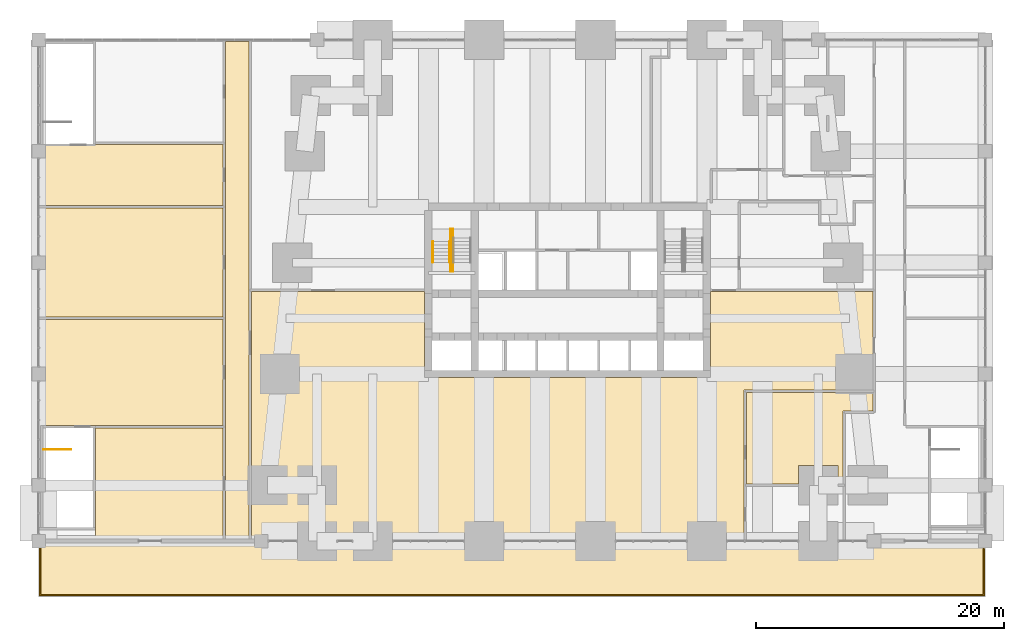
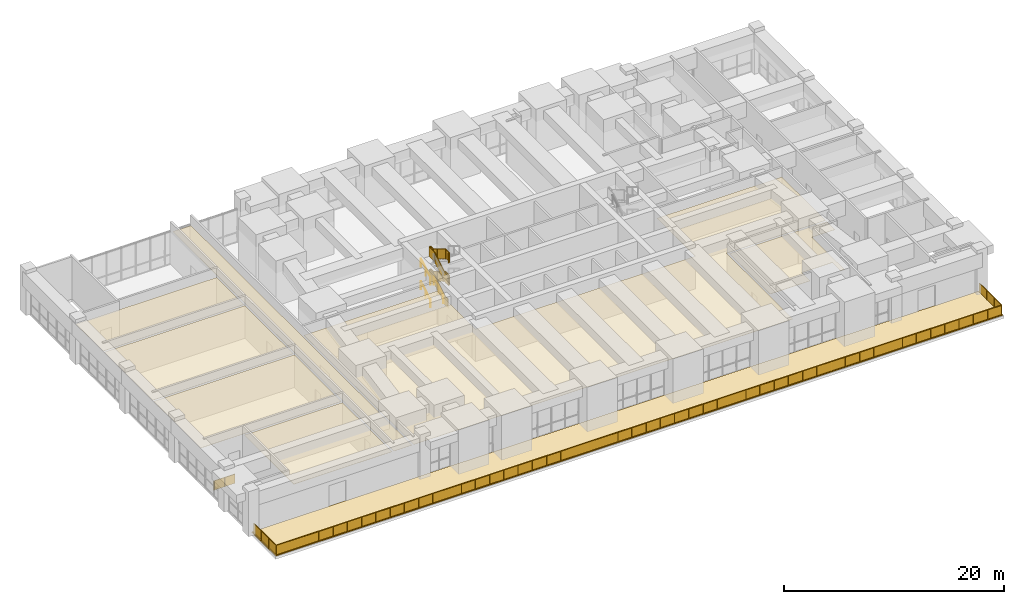
# One storey, part 21 of 22: 9 railings, 8 coverings.
"""IFC4 building model written with IfcOpenShell, lengths in metres."""

from ifc_helpers import new_model, si_unit, direction, frame, origin, origin_2d, place, context, subcontext, project, spatial, polyline, circle, outline, extrude, material, layer, layer_set, type_object, element, save


model = new_model("IFC4")

# Units and contexts
model_context = context("Model", 3, precision=1e-05, world=origin(), true_north=direction((0.0, 1.0)))
body_context = subcontext(model_context, "Body", "Model", "MODEL_VIEW")
ifc_project = project(units=[si_unit("LENGTHUNIT", "METRE"), si_unit("AREAUNIT", "SQUARE_METRE"), si_unit("VOLUMEUNIT", "CUBIC_METRE"), si_unit("PLANEANGLEUNIT", "RADIAN"), si_unit("MASSUNIT", "GRAM", prefix="KILO")], contexts=[model_context])

# Site, building, storey
site_placement = place(None, origin())
site = spatial("IfcSite", under=ifc_project, at=site_placement, CompositionType="ELEMENT")
building_placement = place(site_placement, origin())
building = spatial("IfcBuilding", under=site, at=building_placement, Name="Kilele Tower Hotel", CompositionType="ELEMENT")
storey_placement = place(building_placement, frame((0.0, 0.0, 19.0)))
storey = spatial("IfcBuildingStorey", under=building, at=storey_placement, Name="L03", CompositionType="ELEMENT", Elevation=19.0)

# Railings
ifc_material_1 = material(Name="Toughened laminated glass balustrade", Category="glass")
railing_type_1 = type_object("IfcRailingType", Name="Glass balustrade 1100", PredefinedType="BALUSTRADE", material=ifc_material_1)
railing_1_placement = place(storey_placement, frame((58.35009765625, -0.300048828125, 0.050048828125)))
element("IfcRailing", 1, at=railing_1_placement, inside=storey, type_object=railing_type_1, Name="Terrace balustrade", PredefinedType="BALUSTRADE", context=body_context, shape_type="SweptSolid", body=[
    extrude(circle(Radius=0.030029296875, at=origin_2d()), frame((0.0, 0.0, 1.070068359375), z_axis=(0.0, -1.0, 0.0), x_axis=(1.0, 0.0, 0.0)), (0.0, 0.0, 1.0), 4.050048828125),
    extrude(circle(Radius=0.030029296875, at=origin_2d()), frame((0.0, -4.050048828125, 1.070068359375), z_axis=(-1.0, 0.0, 0.0), x_axis=(0.0, -1.0, 0.0)), (0.0, 0.0, 1.0), 76.2001953125),
    extrude(circle(Radius=0.030029296875, at=origin_2d()), frame((-76.2001953125, -4.050048828125, 1.070068359375), z_axis=(0.0, 1.0, 0.0), x_axis=(-1.0, 0.0, 0.0)), (0.0, 0.0, 1.0), 4.050048828125),
    extrude(circle(Radius=0.02490234375, at=origin_2d()), origin(), (0.0, 0.0, 1.0), 1.0400390625),
    extrude(circle(Radius=0.02490234375, at=origin_2d()), frame((0.0, -1.35009765625, 0.0)), (0.0, 0.0, 1.0), 1.0400390625),
    extrude(circle(Radius=0.02490234375, at=origin_2d()), frame((0.0, -2.699951171875, 0.0)), (0.0, 0.0, 1.0), 1.0400390625),
    extrude(circle(Radius=0.02490234375, at=origin_2d()), frame((0.0, -4.050048828125, 0.0)), (0.0, 0.0, 1.0), 1.0400390625),
    extrude(circle(Radius=0.02490234375, at=origin_2d()), frame((-1.494140625, -4.050048828125, 0.0)), (0.0, 0.0, 1.0), 1.0400390625),
    extrude(circle(Radius=0.02490234375, at=origin_2d()), frame((-2.98828125, -4.050048828125, 0.0)), (0.0, 0.0, 1.0), 1.0400390625),
    extrude(circle(Radius=0.02490234375, at=origin_2d()), frame((-4.482421875, -4.050048828125, 0.0)), (0.0, 0.0, 1.0), 1.0400390625),
    extrude(circle(Radius=0.02490234375, at=origin_2d()), frame((-5.9765625, -4.050048828125, 0.0)), (0.0, 0.0, 1.0), 1.0400390625),
    extrude(circle(Radius=0.02490234375, at=origin_2d()), frame((-7.470703125, -4.050048828125, 0.0)), (0.0, 0.0, 1.0), 1.0400390625),
    extrude(circle(Radius=0.02490234375, at=origin_2d()), frame((-8.96484375, -4.050048828125, 0.0)), (0.0, 0.0, 1.0), 1.0400390625),
    extrude(circle(Radius=0.02490234375, at=origin_2d()), frame((-10.458740234375, -4.050048828125, 0.0)), (0.0, 0.0, 1.0), 1.0400390625),
    extrude(circle(Radius=0.02490234375, at=origin_2d()), frame((-11.952880859375, -4.050048828125, 0.0)), (0.0, 0.0, 1.0), 1.0400390625),
    extrude(circle(Radius=0.02490234375, at=origin_2d()), frame((-13.447021484375, -4.050048828125, 0.0)), (0.0, 0.0, 1.0), 1.0400390625),
    extrude(circle(Radius=0.02490234375, at=origin_2d()), frame((-14.941162109375, -4.050048828125, 0.0)), (0.0, 0.0, 1.0), 1.0400390625),
    extrude(circle(Radius=0.02490234375, at=origin_2d()), frame((-16.435302734375, -4.050048828125, 0.0)), (0.0, 0.0, 1.0), 1.0400390625),
    extrude(circle(Radius=0.02490234375, at=origin_2d()), frame((-17.929443359375, -4.050048828125, 0.0)), (0.0, 0.0, 1.0), 1.0400390625),
    extrude(circle(Radius=0.02490234375, at=origin_2d()), frame((-19.423583984375, -4.050048828125, 0.0)), (0.0, 0.0, 1.0), 1.0400390625),
    extrude(circle(Radius=0.02490234375, at=origin_2d()), frame((-20.917724609375, -4.050048828125, 0.0)), (0.0, 0.0, 1.0), 1.0400390625),
    extrude(circle(Radius=0.02490234375, at=origin_2d()), frame((-22.411865234375, -4.050048828125, 0.0)), (0.0, 0.0, 1.0), 1.0400390625),
    extrude(circle(Radius=0.02490234375, at=origin_2d()), frame((-23.906005859375, -4.050048828125, 0.0)), (0.0, 0.0, 1.0), 1.0400390625),
    extrude(circle(Radius=0.02490234375, at=origin_2d()), frame((-25.400146484375, -4.050048828125, 0.0)), (0.0, 0.0, 1.0), 1.0400390625),
    extrude(circle(Radius=0.02490234375, at=origin_2d()), frame((-26.894287109375, -4.050048828125, 0.0)), (0.0, 0.0, 1.0), 1.0400390625),
    extrude(circle(Radius=0.02490234375, at=origin_2d()), frame((-28.388427734375, -4.050048828125, 0.0)), (0.0, 0.0, 1.0), 1.0400390625),
    extrude(circle(Radius=0.02490234375, at=origin_2d()), frame((-29.88232421875, -4.050048828125, 0.0)), (0.0, 0.0, 1.0), 1.0400390625),
    extrude(circle(Radius=0.02490234375, at=origin_2d()), frame((-31.37646484375, -4.050048828125, 0.0)), (0.0, 0.0, 1.0), 1.0400390625),
    extrude(circle(Radius=0.02490234375, at=origin_2d()), frame((-32.87060546875, -4.050048828125, 0.0)), (0.0, 0.0, 1.0), 1.0400390625),
    extrude(circle(Radius=0.02490234375, at=origin_2d()), frame((-34.36474609375, -4.050048828125, 0.0)), (0.0, 0.0, 1.0), 1.0400390625),
    extrude(circle(Radius=0.02490234375, at=origin_2d()), frame((-35.85888671875, -4.050048828125, 0.0)), (0.0, 0.0, 1.0), 1.0400390625),
    extrude(circle(Radius=0.02490234375, at=origin_2d()), frame((-37.35302734375, -4.050048828125, 0.0)), (0.0, 0.0, 1.0), 1.0400390625),
    extrude(circle(Radius=0.02490234375, at=origin_2d()), frame((-38.84716796875, -4.050048828125, 0.0)), (0.0, 0.0, 1.0), 1.0400390625),
    extrude(circle(Radius=0.02490234375, at=origin_2d()), frame((-40.34130859375, -4.050048828125, 0.0)), (0.0, 0.0, 1.0), 1.0400390625),
    extrude(circle(Radius=0.02490234375, at=origin_2d()), frame((-41.83544921875, -4.050048828125, 0.0)), (0.0, 0.0, 1.0), 1.0400390625),
    extrude(circle(Radius=0.02490234375, at=origin_2d()), frame((-43.32958984375, -4.050048828125, 0.0)), (0.0, 0.0, 1.0), 1.0400390625),
    extrude(circle(Radius=0.02490234375, at=origin_2d()), frame((-44.82373046875, -4.050048828125, 0.0)), (0.0, 0.0, 1.0), 1.0400390625),
    extrude(circle(Radius=0.02490234375, at=origin_2d()), frame((-46.31787109375, -4.050048828125, 0.0)), (0.0, 0.0, 1.0), 1.0400390625),
    extrude(circle(Radius=0.02490234375, at=origin_2d()), frame((-47.811767578125, -4.050048828125, 0.0)), (0.0, 0.0, 1.0), 1.0400390625),
    extrude(circle(Radius=0.02490234375, at=origin_2d()), frame((-49.305908203125, -4.050048828125, 0.0)), (0.0, 0.0, 1.0), 1.0400390625),
    extrude(circle(Radius=0.02490234375, at=origin_2d()), frame((-50.800048828125, -4.050048828125, 0.0)), (0.0, 0.0, 1.0), 1.0400390625),
    extrude(circle(Radius=0.02490234375, at=origin_2d()), frame((-52.294189453125, -4.050048828125, 0.0)), (0.0, 0.0, 1.0), 1.0400390625),
    extrude(circle(Radius=0.02490234375, at=origin_2d()), frame((-53.788330078125, -4.050048828125, 0.0)), (0.0, 0.0, 1.0), 1.0400390625),
    extrude(circle(Radius=0.02490234375, at=origin_2d()), frame((-55.282470703125, -4.050048828125, 0.0)), (0.0, 0.0, 1.0), 1.0400390625),
    extrude(circle(Radius=0.02490234375, at=origin_2d()), frame((-56.776611328125, -4.050048828125, 0.0)), (0.0, 0.0, 1.0), 1.0400390625),
    extrude(circle(Radius=0.02490234375, at=origin_2d()), frame((-58.270751953125, -4.050048828125, 0.0)), (0.0, 0.0, 1.0), 1.0400390625),
    extrude(circle(Radius=0.02490234375, at=origin_2d()), frame((-59.764892578125, -4.050048828125, 0.0)), (0.0, 0.0, 1.0), 1.0400390625),
    extrude(circle(Radius=0.02490234375, at=origin_2d()), frame((-61.259033203125, -4.050048828125, 0.0)), (0.0, 0.0, 1.0), 1.0400390625),
    extrude(circle(Radius=0.02490234375, at=origin_2d()), frame((-62.753173828125, -4.050048828125, 0.0)), (0.0, 0.0, 1.0), 1.0400390625),
    extrude(circle(Radius=0.02490234375, at=origin_2d()), frame((-64.247314453125, -4.050048828125, 0.0)), (0.0, 0.0, 1.0), 1.0400390625),
    extrude(circle(Radius=0.02490234375, at=origin_2d()), frame((-65.741455078125, -4.050048828125, 0.0)), (0.0, 0.0, 1.0), 1.0400390625),
    extrude(circle(Radius=0.02490234375, at=origin_2d()), frame((-67.2353515625, -4.050048828125, 0.0)), (0.0, 0.0, 1.0), 1.0400390625),
    extrude(circle(Radius=0.02490234375, at=origin_2d()), frame((-68.7294921875, -4.050048828125, 0.0)), (0.0, 0.0, 1.0), 1.0400390625),
    extrude(circle(Radius=0.02490234375, at=origin_2d()), frame((-70.2236328125, -4.050048828125, 0.0)), (0.0, 0.0, 1.0), 1.0400390625),
    extrude(circle(Radius=0.02490234375, at=origin_2d()), frame((-71.7177734375, -4.050048828125, 0.0)), (0.0, 0.0, 1.0), 1.0400390625),
    extrude(circle(Radius=0.02490234375, at=origin_2d()), frame((-73.2119140625, -4.050048828125, 0.0)), (0.0, 0.0, 1.0), 1.0400390625),
    extrude(circle(Radius=0.02490234375, at=origin_2d()), frame((-74.7060546875, -4.050048828125, 0.0)), (0.0, 0.0, 1.0), 1.0400390625),
    extrude(circle(Radius=0.02490234375, at=origin_2d()), frame((-76.2001953125, -4.050048828125, 0.0)), (0.0, 0.0, 1.0), 1.0400390625),
    extrude(circle(Radius=0.02490234375, at=origin_2d()), frame((-76.2001953125, -2.699951171875, 0.0)), (0.0, 0.0, 1.0), 1.0400390625),
    extrude(circle(Radius=0.02490234375, at=origin_2d()), frame((-76.2001953125, -1.35009765625, 0.0)), (0.0, 0.0, 1.0), 1.0400390625),
    extrude(circle(Radius=0.02490234375, at=origin_2d()), frame((-76.2001953125, 0.0, 0.0)), (0.0, 0.0, 1.0), 1.0400390625),
    extrude(outline(polyline([(0.0, 0.030029296875), (4.03759765625, 0.030029296875), (4.03759765625, 1.0400390625), (0.0, 1.0400390625), (0.0, 0.030029296875)])), frame((0.0087890625, 0.0, 0.0), z_axis=(-1.0, 0.0, 0.0), x_axis=(0.0, -1.0, 0.0)), (0.0, 0.0, 1.0), 0.017578125),
    extrude(outline(polyline([(0.012451171875, 0.030029296875), (76.187744140625, 0.030029296875), (76.187744140625, 1.0400390625), (0.012451171875, 1.0400390625), (0.012451171875, 0.030029296875)])), frame((0.0, -4.058837890625, 0.0), z_axis=(0.0, 1.0, 0.0), x_axis=(-1.0, 0.0, 0.0)), (0.0, 0.0, 1.0), 0.017578125),
    extrude(outline(polyline([(0.012451171875, 0.030029296875), (4.050048828125, 0.030029296875), (4.050048828125, 1.0400390625), (0.012451171875, 1.0400390625), (0.012451171875, 0.030029296875)])), frame((-76.208984375, -4.050048828125, 0.0), z_axis=(1.0, 0.0, 0.0), x_axis=(0.0, 1.0, 0.0)), (0.0, 0.0, 1.0), 0.017578125),
])
ifc_material_2 = material(Name="Steel handrail", Category="steel")
railing_type_2 = type_object("IfcRailingType", Name="Handrail 900", PredefinedType="HANDRAIL", material=ifc_material_2)
for number, where, name in (
    (2, (13.85009765625, 22.52001953125, 0.166748046875), "Handrail ST1 flight 1"),
    (3, (15.22509765625, 22.52001953125, 0.166748046875), "Handrail ST1 flight 1"),
    (4, (13.85009765625, 22.52001953125, 2.666748046875), "Handrail ST1 flight 3"),
):
    element("IfcRailing", number, at=place(storey_placement, frame(where)), inside=storey, type_object=railing_type_2, Name=name, PredefinedType="HANDRAIL", context=body_context, shape_type="SweptSolid", body=[
        extrude(circle(Radius=0.02490234375, at=origin_2d()), frame((0.0, 0.0, 0.875), z_axis=(0.0, 0.859283736677, 0.511499227646), x_axis=(-1.0, 0.0, 0.0)), (0.0, 0.0, 1.0), 1.955078125),
        extrude(circle(Radius=0.02001953125, at=origin_2d()), origin(), (0.0, 0.0, 1.0), 0.849853515625),
        extrude(circle(Radius=0.02001953125, at=origin_2d()), frame((0.0, 0.83984375, 0.5)), (0.0, 0.0, 1.0), 0.849853515625),
        extrude(circle(Radius=0.02001953125, at=origin_2d()), frame((0.0, 1.679931640625, 1.0)), (0.0, 0.0, 1.0), 0.849853515625),
    ])
ifc_material_3 = material(Name="Steel guard", Category="steel")
railing_type_3 = type_object("IfcRailingType", Name="Stair guard 1100", PredefinedType="GUARDRAIL", material=ifc_material_3)
railing_2_placement = place(storey_placement, frame((-17.60009765625, 7.39990234375, 0.0)))
element("IfcRailing", 5, at=railing_2_placement, inside=storey, type_object=railing_type_3, Name="Stair guard ST4", PredefinedType="GUARDRAIL", context=body_context, shape_type="SweptSolid", body=[
    extrude(circle(Radius=0.02490234375, at=origin_2d()), frame((0.0, 0.0, 1.0751953125), z_axis=(1.0, 0.0, 0.0), x_axis=(0.0, 1.0, 0.0)), (0.0, 0.0, 1.0), 2.2001953125),
    extrude(circle(Radius=0.02490234375, at=origin_2d()), origin(), (0.0, 0.0, 1.0), 1.050048828125),
    extrude(circle(Radius=0.02490234375, at=origin_2d()), frame((1.10009765625, 0.0, 0.0)), (0.0, 0.0, 1.0), 1.050048828125),
    extrude(circle(Radius=0.02490234375, at=origin_2d()), frame((2.2001953125, 0.0, 0.0)), (0.0, 0.0, 1.0), 1.050048828125),
    extrude(outline(polyline([(0.0, 0.030029296875), (2.2001953125, 0.030029296875), (2.2001953125, 1.050048828125), (0.0, 1.050048828125), (0.0, 0.030029296875)])), frame((0.0, 0.005859375, 0.0), z_axis=(0.0, -1.0, 0.0), x_axis=(1.0, 0.0, 0.0)), (0.0, 0.0, 1.0), 0.011962890625),
])
railing_3_placement = place(storey_placement, frame((15.284912109375, 21.77490234375, 0.0)))
element("IfcRailing", 6, at=railing_3_placement, inside=storey, type_object=railing_type_3, Name="Stair well guard ST1 flight 1", PredefinedType="GUARDRAIL", context=body_context, shape_type="SweptSolid", body=[
    extrude(circle(Radius=0.02490234375, at=origin_2d()), frame((0.0, 0.0, 1.0751953125), z_axis=(0.0, 1.0, 0.0), x_axis=(-1.0, 0.0, 0.0)), (0.0, 0.0, 1.0), 0.465087890625),
    extrude(circle(Radius=0.02490234375, at=origin_2d()), frame((0.0, 0.465087890625, 1.0751953125), z_axis=(0.0, 0.859272722373, 0.511517730471), x_axis=(-1.0, 0.0, 0.0)), (0.0, 0.0, 1.0), 2.281005859375),
    extrude(circle(Radius=0.02490234375, at=origin_2d()), frame((0.0, 2.425048828125, 2.24169921875), z_axis=(0.0, 1.0, 0.0), x_axis=(-1.0, 0.0, 0.0)), (0.0, 0.0, 1.0), 1.025146484375),
    extrude(circle(Radius=0.02490234375, at=origin_2d()), frame((0.0, 3.4501953125, 2.24169921875), z_axis=(1.0, 0.0, 0.0), x_axis=(0.0, 1.0, 0.0)), (0.0, 0.0, 1.0), 0.18017578125),
    extrude(circle(Radius=0.02490234375, at=origin_2d()), origin(), (0.0, 0.0, 1.0), 1.050048828125),
    extrude(circle(Radius=0.02490234375, at=origin_2d()), frame((0.0, 0.465087890625, 0.0)), (0.0, 0.0, 1.0), 1.050048828125),
    extrude(circle(Radius=0.02490234375, at=origin_2d()), frame((0.0, 1.445068359375, 0.58349609375)), (0.0, 0.0, 1.0), 1.050048828125),
    extrude(circle(Radius=0.02490234375, at=origin_2d()), frame((0.0, 2.425048828125, 1.166748046875)), (0.0, 0.0, 1.0), 1.050048828125),
    extrude(circle(Radius=0.02490234375, at=origin_2d()), frame((0.0, 3.4501953125, 1.166748046875)), (0.0, 0.0, 1.0), 1.050048828125),
    extrude(circle(Radius=0.02490234375, at=origin_2d()), frame((0.18017578125, 3.4501953125, 1.166748046875)), (0.0, 0.0, 1.0), 1.050048828125),
    extrude(outline(polyline([(0.0, 0.030029296875), (0.45263671875, 0.030029296875), (0.45263671875, 1.050048828125), (0.0, 1.050048828125), (0.0, 0.030029296875)])), frame((-0.005859375, 0.0, 0.0), z_axis=(1.0, 0.0, 0.0), x_axis=(0.0, 1.0, 0.0)), (0.0, 0.0, 1.0), 0.011962890625),
    extrude(outline(polyline([(0.012451171875, 0.030029296875), (0.25, 0.030029296875), (0.25, 0.19677734375), (0.530029296875, 0.19677734375), (0.530029296875, 0.36328125), (0.81005859375, 0.36328125), (0.81005859375, 0.530029296875), (1.08984375, 0.530029296875), (1.08984375, 0.69677734375), (1.369873046875, 0.69677734375), (1.369873046875, 0.863525390625), (1.64990234375, 0.863525390625), (1.64990234375, 1.030029296875), (1.929931640625, 1.030029296875), (1.929931640625, 1.19677734375), (1.947509765625, 1.19677734375), (1.947509765625, 2.205322265625), (0.012451171875, 1.053466796875), (0.012451171875, 0.030029296875)])), frame((-0.005859375, 0.465087890625, 0.0), z_axis=(1.0, 0.0, 0.0), x_axis=(0.0, 1.0, 0.0)), (0.0, 0.0, 1.0), 0.011962890625),
    extrude(outline(polyline([(0.012451171875, 0.030029296875), (1.0126953125, 0.030029296875), (1.0126953125, 1.050048828125), (0.012451171875, 1.050048828125), (0.012451171875, 0.030029296875)])), frame((-0.005859375, 2.425048828125, 1.166748046875), z_axis=(1.0, 0.0, 0.0), x_axis=(0.0, 1.0, 0.0)), (0.0, 0.0, 1.0), 0.011962890625),
    extrude(outline(polyline([(0.012451171875, 0.030029296875), (0.18017578125, 0.030029296875), (0.18017578125, 1.050048828125), (0.012451171875, 1.050048828125), (0.012451171875, 0.030029296875)])), frame((0.0, 3.4560546875, 1.166748046875), z_axis=(0.0, -1.0, 0.0), x_axis=(1.0, 0.0, 0.0)), (0.0, 0.0, 1.0), 0.011962890625),
])
railing_4_placement = place(storey_placement, frame((15.465087890625, 25.22509765625, 1.166748046875)))
element("IfcRailing", 7, at=railing_4_placement, inside=storey, type_object=railing_type_3, Name="Stair well guard ST1 flight 2", PredefinedType="GUARDRAIL", context=body_context, shape_type="SweptSolid", body=[
    extrude(circle(Radius=0.02490234375, at=origin_2d()), frame((0.0, 0.0, 1.0751953125), z_axis=(0.0, -1.0, 0.0), x_axis=(1.0, 0.0, 0.0)), (0.0, 0.0, 1.0), 0.465087890625),
    extrude(circle(Radius=0.02490234375, at=origin_2d()), frame((0.0, -0.465087890625, 1.0751953125), z_axis=(0.0, -0.859305625298, 0.511462454469), x_axis=(1.0, 0.0, 0.0)), (0.0, 0.0, 1.0), 2.606689453125),
    extrude(circle(Radius=0.02490234375, at=origin_2d()), frame((0.0, -2.705078125, 2.408203125), z_axis=(0.0, -1.0, 0.0), x_axis=(1.0, 0.0, 0.0)), (0.0, 0.0, 1.0), 0.7451171875),
    extrude(circle(Radius=0.02490234375, at=origin_2d()), frame((0.0, -3.4501953125, 2.408203125), z_axis=(-1.0, 0.0, 0.0), x_axis=(0.0, -1.0, 0.0)), (0.0, 0.0, 1.0), 0.18017578125),
    extrude(circle(Radius=0.02490234375, at=origin_2d()), origin(), (0.0, 0.0, 1.0), 1.050048828125),
    extrude(circle(Radius=0.02490234375, at=origin_2d()), frame((0.0, -0.465087890625, 0.0)), (0.0, 0.0, 1.0), 1.050048828125),
    extrude(circle(Radius=0.02490234375, at=origin_2d()), frame((0.0, -1.211669921875, 0.4443359375)), (0.0, 0.0, 1.0), 1.050048828125),
    extrude(circle(Radius=0.02490234375, at=origin_2d()), frame((0.0, -1.95849609375, 0.888916015625)), (0.0, 0.0, 1.0), 1.050048828125),
    extrude(circle(Radius=0.02490234375, at=origin_2d()), frame((0.0, -2.705078125, 1.333251953125)), (0.0, 0.0, 1.0), 1.050048828125),
    extrude(circle(Radius=0.02490234375, at=origin_2d()), frame((0.0, -3.4501953125, 1.333251953125)), (0.0, 0.0, 1.0), 1.050048828125),
    extrude(circle(Radius=0.02490234375, at=origin_2d()), frame((-0.18017578125, -3.4501953125, 1.333251953125)), (0.0, 0.0, 1.0), 1.050048828125),
    extrude(outline(polyline([(0.0, 0.030029296875), (0.45263671875, 0.030029296875), (0.45263671875, 1.050048828125), (0.0, 1.050048828125), (0.0, 0.030029296875)])), frame((0.005859375, 0.0, 0.0), z_axis=(-1.0, 0.0, 0.0), x_axis=(0.0, -1.0, 0.0)), (0.0, 0.0, 1.0), 0.011962890625),
    extrude(outline(polyline([(0.012451171875, 0.030029296875), (0.25, 0.030029296875), (0.25, 0.19677734375), (0.530029296875, 0.19677734375), (0.530029296875, 0.36328125), (0.81005859375, 0.36328125), (0.81005859375, 0.530029296875), (1.08984375, 0.530029296875), (1.08984375, 0.69677734375), (1.369873046875, 0.69677734375), (1.369873046875, 0.86328125), (1.64990234375, 0.86328125), (1.64990234375, 1.030029296875), (1.929931640625, 1.030029296875), (1.929931640625, 1.196533203125), (2.2099609375, 1.196533203125), (2.2099609375, 1.36328125), (2.2275390625, 1.36328125), (2.2275390625, 2.371826171875), (0.012451171875, 1.053466796875), (0.012451171875, 0.030029296875)])), frame((0.005859375, -0.465087890625, 0.0), z_axis=(-1.0, 0.0, 0.0), x_axis=(0.0, -1.0, 0.0)), (0.0, 0.0, 1.0), 0.011962890625),
    extrude(outline(polyline([(0.012451171875, 0.030029296875), (0.732666015625, 0.030029296875), (0.732666015625, 1.050048828125), (0.012451171875, 1.050048828125), (0.012451171875, 0.030029296875)])), frame((0.005859375, -2.705078125, 1.333251953125), z_axis=(-1.0, 0.0, 0.0), x_axis=(0.0, -1.0, 0.0)), (0.0, 0.0, 1.0), 0.011962890625),
    extrude(outline(polyline([(0.012451171875, 0.030029296875), (0.18017578125, 0.030029296875), (0.18017578125, 1.050048828125), (0.012451171875, 1.050048828125), (0.012451171875, 0.030029296875)])), frame((0.0, -3.4560546875, 1.333251953125), z_axis=(0.0, 1.0, 0.0), x_axis=(-1.0, 0.0, 0.0)), (0.0, 0.0, 1.0), 0.011962890625),
])
railing_5_placement = place(storey_placement, frame((15.284912109375, 21.77490234375, 2.5)))
element("IfcRailing", 8, at=railing_5_placement, inside=storey, type_object=railing_type_3, Name="Stair well guard ST1 flight 3", PredefinedType="GUARDRAIL", context=body_context, shape_type="SweptSolid", body=[
    extrude(circle(Radius=0.02490234375, at=origin_2d()), frame((0.0, 0.0, 1.0751953125), z_axis=(0.0, 1.0, 0.0), x_axis=(-1.0, 0.0, 0.0)), (0.0, 0.0, 1.0), 0.465087890625),
    extrude(circle(Radius=0.02490234375, at=origin_2d()), frame((0.0, 0.465087890625, 1.0751953125), z_axis=(0.0, 0.859272722373, 0.511517730471), x_axis=(-1.0, 0.0, 0.0)), (0.0, 0.0, 1.0), 2.281005859375),
    extrude(circle(Radius=0.02490234375, at=origin_2d()), frame((0.0, 2.425048828125, 2.24169921875), z_axis=(0.0, 1.0, 0.0), x_axis=(-1.0, 0.0, 0.0)), (0.0, 0.0, 1.0), 1.025146484375),
    extrude(circle(Radius=0.02490234375, at=origin_2d()), frame((0.0, 3.4501953125, 2.24169921875), z_axis=(1.0, 0.0, 0.0), x_axis=(0.0, 1.0, 0.0)), (0.0, 0.0, 1.0), 0.18017578125),
    extrude(circle(Radius=0.02490234375, at=origin_2d()), origin(), (0.0, 0.0, 1.0), 1.050048828125),
    extrude(circle(Radius=0.02490234375, at=origin_2d()), frame((0.0, 0.465087890625, 0.0)), (0.0, 0.0, 1.0), 1.050048828125),
    extrude(circle(Radius=0.02490234375, at=origin_2d()), frame((0.0, 1.445068359375, 0.58349609375)), (0.0, 0.0, 1.0), 1.050048828125),
    extrude(circle(Radius=0.02490234375, at=origin_2d()), frame((0.0, 2.425048828125, 1.166748046875)), (0.0, 0.0, 1.0), 1.050048828125),
    extrude(circle(Radius=0.02490234375, at=origin_2d()), frame((0.0, 3.4501953125, 1.166748046875)), (0.0, 0.0, 1.0), 1.050048828125),
    extrude(circle(Radius=0.02490234375, at=origin_2d()), frame((0.18017578125, 3.4501953125, 1.166748046875)), (0.0, 0.0, 1.0), 1.050048828125),
    extrude(outline(polyline([(0.0, 0.030029296875), (0.45263671875, 0.030029296875), (0.45263671875, 1.050048828125), (0.0, 1.050048828125), (0.0, 0.030029296875)])), frame((-0.005859375, 0.0, 0.0), z_axis=(1.0, 0.0, 0.0), x_axis=(0.0, 1.0, 0.0)), (0.0, 0.0, 1.0), 0.011962890625),
    extrude(outline(polyline([(0.012451171875, 0.030029296875), (0.25, 0.030029296875), (0.25, 0.19677734375), (0.530029296875, 0.19677734375), (0.530029296875, 0.36328125), (0.81005859375, 0.36328125), (0.81005859375, 0.530029296875), (1.08984375, 0.530029296875), (1.08984375, 0.69677734375), (1.369873046875, 0.69677734375), (1.369873046875, 0.863525390625), (1.64990234375, 0.863525390625), (1.64990234375, 1.030029296875), (1.929931640625, 1.030029296875), (1.929931640625, 1.19677734375), (1.947509765625, 1.19677734375), (1.947509765625, 2.205322265625), (0.012451171875, 1.053466796875), (0.012451171875, 0.030029296875)])), frame((-0.005859375, 0.465087890625, 0.0), z_axis=(1.0, 0.0, 0.0), x_axis=(0.0, 1.0, 0.0)), (0.0, 0.0, 1.0), 0.011962890625),
    extrude(outline(polyline([(0.012451171875, 0.030029296875), (1.0126953125, 0.030029296875), (1.0126953125, 1.050048828125), (0.012451171875, 1.050048828125), (0.012451171875, 0.030029296875)])), frame((-0.005859375, 2.425048828125, 1.166748046875), z_axis=(1.0, 0.0, 0.0), x_axis=(0.0, 1.0, 0.0)), (0.0, 0.0, 1.0), 0.011962890625),
    extrude(outline(polyline([(0.012451171875, 0.030029296875), (0.18017578125, 0.030029296875), (0.18017578125, 1.050048828125), (0.012451171875, 1.050048828125), (0.012451171875, 0.030029296875)])), frame((0.0, 3.4560546875, 1.166748046875), z_axis=(0.0, -1.0, 0.0), x_axis=(1.0, 0.0, 0.0)), (0.0, 0.0, 1.0), 0.011962890625),
])
railing_6_placement = place(storey_placement, frame((15.465087890625, 25.22509765625, 3.666748046875)))
element("IfcRailing", 9, at=railing_6_placement, inside=storey, type_object=railing_type_3, Name="Stair well guard ST1 flight 4", PredefinedType="GUARDRAIL", context=body_context, shape_type="SweptSolid", body=[
    extrude(circle(Radius=0.02490234375, at=origin_2d()), frame((0.0, 0.0, 1.0751953125), z_axis=(0.0, -1.0, 0.0), x_axis=(1.0, 0.0, 0.0)), (0.0, 0.0, 1.0), 0.465087890625),
    extrude(circle(Radius=0.02490234375, at=origin_2d()), frame((0.0, -0.465087890625, 1.0751953125), z_axis=(0.0, -0.859305625298, 0.511462454469), x_axis=(1.0, 0.0, 0.0)), (0.0, 0.0, 1.0), 2.606689453125),
    extrude(circle(Radius=0.02490234375, at=origin_2d()), frame((0.0, -2.705078125, 2.408203125), z_axis=(0.0, -1.0, 0.0), x_axis=(1.0, 0.0, 0.0)), (0.0, 0.0, 1.0), 0.7451171875),
    extrude(circle(Radius=0.02490234375, at=origin_2d()), frame((0.0, -3.4501953125, 2.408203125), z_axis=(-1.0, 0.0, 0.0), x_axis=(0.0, -1.0, 0.0)), (0.0, 0.0, 1.0), 0.18017578125),
    extrude(circle(Radius=0.02490234375, at=origin_2d()), origin(), (0.0, 0.0, 1.0), 1.050048828125),
    extrude(circle(Radius=0.02490234375, at=origin_2d()), frame((0.0, -0.465087890625, 0.0)), (0.0, 0.0, 1.0), 1.050048828125),
    extrude(circle(Radius=0.02490234375, at=origin_2d()), frame((0.0, -1.211669921875, 0.4443359375)), (0.0, 0.0, 1.0), 1.050048828125),
    extrude(circle(Radius=0.02490234375, at=origin_2d()), frame((0.0, -1.95849609375, 0.888916015625)), (0.0, 0.0, 1.0), 1.050048828125),
    extrude(circle(Radius=0.02490234375, at=origin_2d()), frame((0.0, -2.705078125, 1.333251953125)), (0.0, 0.0, 1.0), 1.050048828125),
    extrude(circle(Radius=0.02490234375, at=origin_2d()), frame((0.0, -3.4501953125, 1.333251953125)), (0.0, 0.0, 1.0), 1.050048828125),
    extrude(circle(Radius=0.02490234375, at=origin_2d()), frame((-0.18017578125, -3.4501953125, 1.333251953125)), (0.0, 0.0, 1.0), 1.050048828125),
    extrude(outline(polyline([(0.0, 0.030029296875), (0.45263671875, 0.030029296875), (0.45263671875, 1.050048828125), (0.0, 1.050048828125), (0.0, 0.030029296875)])), frame((0.005859375, 0.0, 0.0), z_axis=(-1.0, 0.0, 0.0), x_axis=(0.0, -1.0, 0.0)), (0.0, 0.0, 1.0), 0.011962890625),
    extrude(outline(polyline([(0.012451171875, 0.030029296875), (0.25, 0.030029296875), (0.25, 0.19677734375), (0.530029296875, 0.19677734375), (0.530029296875, 0.36328125), (0.81005859375, 0.36328125), (0.81005859375, 0.530029296875), (1.08984375, 0.530029296875), (1.08984375, 0.69677734375), (1.369873046875, 0.69677734375), (1.369873046875, 0.86328125), (1.64990234375, 0.86328125), (1.64990234375, 1.030029296875), (1.929931640625, 1.030029296875), (1.929931640625, 1.196533203125), (2.2099609375, 1.196533203125), (2.2099609375, 1.36328125), (2.2275390625, 1.36328125), (2.2275390625, 2.371826171875), (0.012451171875, 1.053466796875), (0.012451171875, 0.030029296875)])), frame((0.005859375, -0.465087890625, 0.0), z_axis=(-1.0, 0.0, 0.0), x_axis=(0.0, -1.0, 0.0)), (0.0, 0.0, 1.0), 0.011962890625),
    extrude(outline(polyline([(0.012451171875, 0.030029296875), (0.732666015625, 0.030029296875), (0.732666015625, 1.050048828125), (0.012451171875, 1.050048828125), (0.012451171875, 0.030029296875)])), frame((0.005859375, -2.705078125, 1.333251953125), z_axis=(-1.0, 0.0, 0.0), x_axis=(0.0, -1.0, 0.0)), (0.0, 0.0, 1.0), 0.011962890625),
    extrude(outline(polyline([(0.012451171875, 0.030029296875), (0.18017578125, 0.030029296875), (0.18017578125, 1.050048828125), (0.012451171875, 1.050048828125), (0.012451171875, 0.030029296875)])), frame((0.0, -3.4560546875, 1.333251953125), z_axis=(0.0, 1.0, 0.0), x_axis=(-1.0, 0.0, 0.0)), (0.0, 0.0, 1.0), 0.011962890625),
])

# Coverings
ifc_material_4 = material(Name="Gypsum board suspended ceiling", Category="gypsum")
ifc_layer_1 = layer(ifc_material_4, 0.02490234375)
ifc_layer_set_1 = layer_set([ifc_layer_1], Name="Gypsum board suspended ceiling")
covering_type_1 = type_object("IfcCoveringType", Name="Suspended ceiling 25", PredefinedType="CEILING", material=ifc_layer_set_1)
covering_1_placement = place(storey_placement, frame((0.0, 0.0, 3.60009765625)))
element("IfcCovering", 10, at=covering_1_placement, inside=storey, type_object=covering_type_1, Name="Suspended ceiling Meeting foyer", PredefinedType="CEILING", context=body_context, shape_type="SweptSolid", body=[
    extrude(outline(polyline([(-1.0, 0.14990234375), (-2.89990234375, 0.14990234375), (-2.89990234375, 40.35009765625), (-1.0, 40.35009765625), (-1.0, 0.14990234375)])), origin(), (0.0, 0.0, 1.0), 0.02490234375),
])
covering_2_placement = place(storey_placement, frame((0.0, 0.0, 3.60009765625)))
element("IfcCovering", 11, at=covering_2_placement, inside=storey, type_object=covering_type_1, Name="Suspended ceiling Meeting room 1", PredefinedType="CEILING", context=body_context, shape_type="SweptSolid", body=[
    extrude(outline(polyline([(-3.10009765625, 0.14990234375), (-13.39990234375, 0.14990234375), (-13.39990234375, 9.14990234375), (-3.10009765625, 9.14990234375), (-3.10009765625, 0.14990234375)])), origin(), (0.0, 0.0, 1.0), 0.02490234375),
])
covering_3_placement = place(storey_placement, frame((0.0, 0.0, 3.60009765625)))
element("IfcCovering", 12, at=covering_3_placement, inside=storey, type_object=covering_type_1, Name="Suspended ceiling Meeting room 2", PredefinedType="CEILING", context=body_context, shape_type="SweptSolid", body=[
    extrude(outline(polyline([(-3.10009765625, 9.35009765625), (-17.85009765625, 9.35009765625), (-17.85009765625, 17.89990234375), (-3.10009765625, 17.89990234375), (-3.10009765625, 9.35009765625)])), origin(), (0.0, 0.0, 1.0), 0.02490234375),
])
covering_4_placement = place(storey_placement, frame((0.0, 0.0, 3.60009765625)))
element("IfcCovering", 13, at=covering_4_placement, inside=storey, type_object=covering_type_1, Name="Suspended ceiling Meeting room 3", PredefinedType="CEILING", context=body_context, shape_type="SweptSolid", body=[
    extrude(outline(polyline([(-3.10009765625, 27.10009765625), (-17.85009765625, 27.10009765625), (-17.85009765625, 32.050048828125), (-3.10009765625, 32.050048828125), (-3.10009765625, 27.10009765625)])), origin(), (0.0, 0.0, 1.0), 0.02490234375),
])
covering_5_placement = place(storey_placement, frame((0.0, 0.0, 3.60009765625)))
element("IfcCovering", 14, at=covering_5_placement, inside=storey, type_object=covering_type_1, Name="Suspended ceiling Boardroom", PredefinedType="CEILING", context=body_context, shape_type="SweptSolid", body=[
    extrude(outline(polyline([(-3.10009765625, 18.10009765625), (-17.85009765625, 18.10009765625), (-17.85009765625, 26.89990234375), (-3.10009765625, 26.89990234375), (-3.10009765625, 18.10009765625)])), origin(), (0.0, 0.0, 1.0), 0.02490234375),
])
covering_6_placement = place(storey_placement, frame((0.0, 0.0, 3.60009765625)))
element("IfcCovering", 15, at=covering_6_placement, inside=storey, type_object=covering_type_1, Name="Suspended ceiling Event planning office", PredefinedType="CEILING", context=body_context, shape_type="SweptSolid", body=[
    extrude(outline(polyline([(39.199951171875, 12.0), (49.39990234375, 12.0), (49.39990234375, 10.5), (47.0, 10.5), (47.0, 4.60009765625), (46.60009765625, 4.60009765625), (46.60009765625, 6.10009765625), (43.39990234375, 6.10009765625), (43.39990234375, 4.60009765625), (39.199951171875, 4.60009765625), (39.199951171875, 12.0)])), origin(), (0.0, 0.0, 1.0), 0.02490234375),
])
covering_7_placement = place(storey_placement, frame((0.0, 0.0, 3.60009765625)))
element("IfcCovering", 16, at=covering_7_placement, inside=storey, type_object=covering_type_1, Name="Suspended ceiling Meeting foyer", PredefinedType="CEILING", context=body_context, shape_type="SweptSolid", body=[
    extrude(outline(polyline([(-0.800048828125, 0.14990234375), (-0.800048828125, 20.14990234375), (13.199951171875, 20.14990234375), (13.199951171875, 13.199951171875), (36.300048828125, 13.199951171875), (36.300048828125, 20.14990234375), (49.39990234375, 20.14990234375), (49.39990234375, 12.199951171875), (39.0, 12.199951171875), (39.0, 0.14990234375), (-0.800048828125, 0.14990234375)])), origin(), (0.0, 0.0, 1.0), 0.02490234375),
])
ifc_material_5 = material(Name="Natural stone paving on pedestals", Category="masonry")
ifc_layer_2 = layer(ifc_material_5, 0.050048828125)
ifc_layer_set_2 = layer_set([ifc_layer_2], Name="Natural stone paving on pedestals")
covering_type_2 = type_object("IfcCoveringType", Name="Terrace paving 50", PredefinedType="FLOORING", material=ifc_layer_set_2)
covering_8_placement = place(storey_placement, origin())
element("IfcCovering", 17, at=covering_8_placement, inside=storey, type_object=covering_type_2, Name="Terrace paving", PredefinedType="FLOORING", context=body_context, shape_type="SweptSolid", body=[
    extrude(outline(polyline([(58.449951171875, -4.449951171875), (-17.949951171875, -4.449951171875), (-17.949951171875, -0.051025390625), (58.449951171875, -0.051025390625), (58.449951171875, -4.449951171875)])), origin(), (0.0, 0.0, 1.0), 0.050048828125),
])

save(model, "model.ifc")
